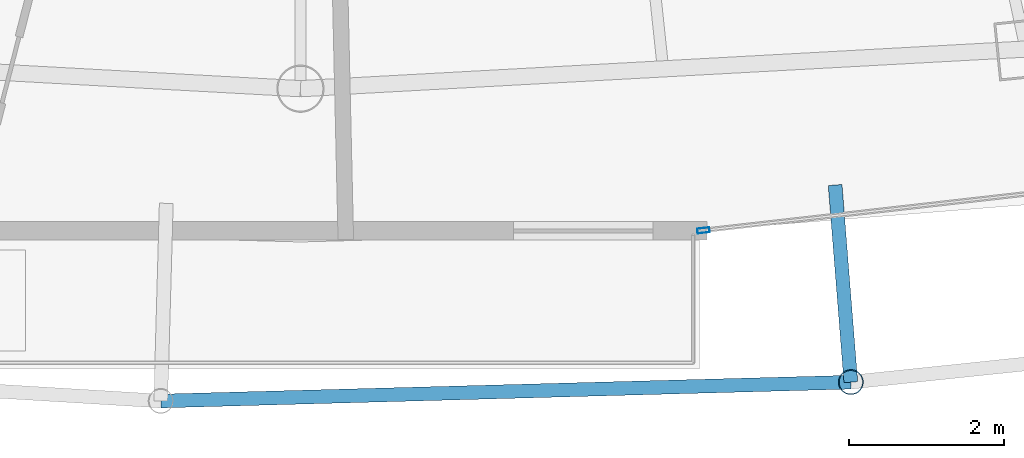
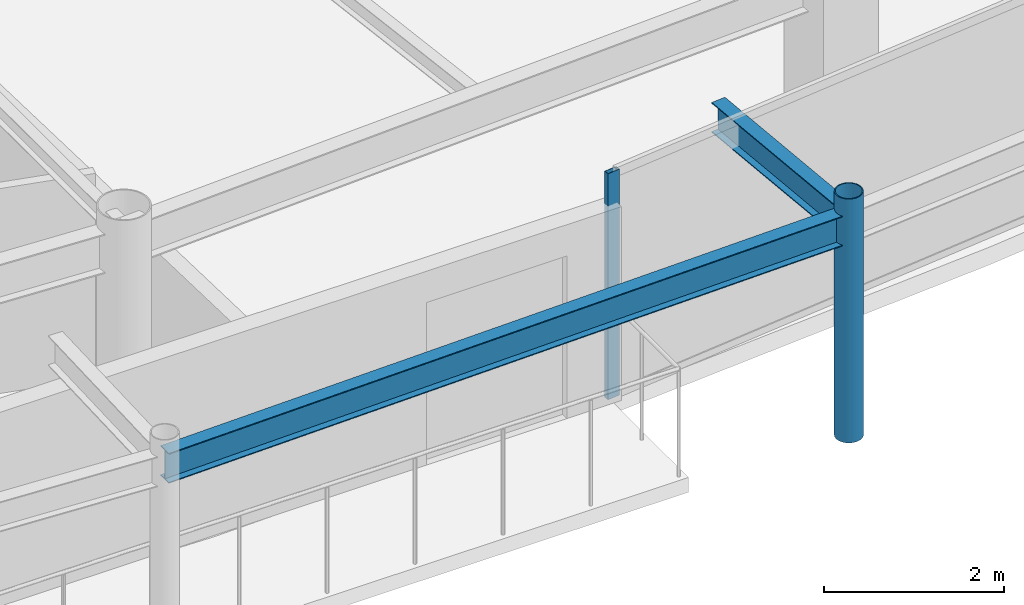
# One storey, part 8 of 30: 2 beams, 2 members, 1 element without a shape of its own.
"""IFC4 building model written with IfcOpenShell, lengths in metres."""

import ifcopenshell
import ifcopenshell.guid

model = None  # the IFC model being written
_history = None  # IfcOwnerHistory: only IFC2X3 demands one
_inside = {}  # id of a spatial element -> (the spatial element, [elements in it])
_under = {}  # id of a project, library or spatial element -> (it, [spatial elements below it])
_declared = {}  # id of a project -> (the project, [libraries it declares])
_typed = {}  # id of a type object -> (the type object, [elements of that type])
_made_of = {}  # id of a material, layer set ... -> (it, [elements and type objects made of it])


def new_model(schema):
    """Start an empty IFC model of exactly this schema.

    Asked for "IFC4X3", IfcOpenShell would pick the latest addendum, in which some entities
    have other attributes; the version numbers below select the first issue.
    IFC2X3 requires an IfcOwnerHistory on every rooted entity: one is made here for all.
    """
    global model, _history
    if schema == "IFC4X3":
        model = ifcopenshell.file(schema_version=(4, 3, 0, 0))
    else:
        model = ifcopenshell.file(schema=schema)
    _inside.clear()
    _under.clear()
    _declared.clear()
    _typed.clear()
    _made_of.clear()
    _history = None
    if model.schema == "IFC2X3":
        org = make("IfcOrganization", Name="unknown")
        user = make(
            "IfcPersonAndOrganization",
            ThePerson=make("IfcPerson", FamilyName="unknown"),
            TheOrganization=org,
        )
        app = make(
            "IfcApplication",
            ApplicationDeveloper=org,
            Version="unknown",
            ApplicationFullName="unknown",
            ApplicationIdentifier="unknown",
        )
        _history = make(
            "IfcOwnerHistory",
            OwningUser=user,
            OwningApplication=app,
            ChangeAction="ADDED",
            CreationDate=0,
        )
    return model


def make(cls, **values):
    """One entity of the class cls with the attributes given. An attribute that is None is left unset."""
    return model.create_entity(
        cls, **{name: value for name, value in values.items() if value is not None}
    )


def rooted(cls, **values):
    """An entity with a GlobalId (a new one), such as an element, a storey or a relation."""
    return make(cls, GlobalId=ifcopenshell.guid.new(), OwnerHistory=_history, **values)


def si_unit(unit_type, name, prefix=None):
    """IfcSIUnit, for example si_unit("LENGTHUNIT", "METRE", prefix="MILLI")."""
    return make("IfcSIUnit", UnitType=unit_type, Prefix=prefix, Name=name)


def assignment(units):
    """IfcUnitAssignment: the units of a project."""
    return None if units is None else make("IfcUnitAssignment", Units=units)


def point(xyz):
    """IfcCartesianPoint."""
    return None if xyz is None else make("IfcCartesianPoint", Coordinates=xyz)


def direction(xyz):
    """IfcDirection."""
    return None if xyz is None else make("IfcDirection", DirectionRatios=xyz)


def frame(location, z_axis=None, x_axis=None):
    """IfcAxis2Placement3D, a coordinate frame: its origin and axes. An axis left out is left unset."""
    return make(
        "IfcAxis2Placement3D",
        Location=point(location),
        Axis=direction(z_axis),
        RefDirection=direction(x_axis),
    )


def frame_2d(location, x_axis=None):
    """IfcAxis2Placement2D, a coordinate frame in the plane: its origin and x axis."""
    return make(
        "IfcAxis2Placement2D", Location=point(location), RefDirection=direction(x_axis)
    )


def origin():
    """The frame at (0, 0, 0) with its axes left unset."""
    return frame((0.0, 0.0, 0.0))


def origin_2d():
    """The frame at (0, 0) in the plane with its x axis left unset."""
    return frame_2d((0.0, 0.0))


def place(relative_to, where):
    """IfcLocalPlacement: puts the frame where relative to a parent placement (None: the world)."""
    return make(
        "IfcLocalPlacement", PlacementRelTo=relative_to, RelativePlacement=where
    )


def context(
    kind, dimensions, precision=None, world=None, true_north=None, identifier=None
):
    """IfcGeometricRepresentationContext, for example the 3D "Model" context."""
    return make(
        "IfcGeometricRepresentationContext",
        ContextIdentifier=identifier,
        ContextType=kind,
        CoordinateSpaceDimension=dimensions,
        Precision=precision,
        WorldCoordinateSystem=world,
        TrueNorth=true_north,
    )


def subcontext(parent, identifier, kind, view, scale=None):
    """IfcGeometricRepresentationSubContext, for example "Body" below "Model"."""
    return make(
        "IfcGeometricRepresentationSubContext",
        ContextIdentifier=identifier,
        ContextType=kind,
        ParentContext=parent,
        TargetScale=scale,
        TargetView=view,
    )


def project(units=None, contexts=None):
    """IfcProject with its units and contexts."""
    return rooted(
        "IfcProject",
        Name="project",
        RepresentationContexts=contexts,
        UnitsInContext=assignment(units),
    )


def spatial(cls, under=None, at=None, **own):
    """A site, building, storey or space (cls), placed at a placement, below another one or the project."""
    s = rooted(cls, ObjectPlacement=at, **own)
    if under is not None:
        _under.setdefault(under.id(), (under, []))[1].append(s)
    return s


def profile(cls, at=None, kind="AREA", **sizes):
    """A parametric profile (cls). Its sizes go by their IFC names, for example OverallWidth=200.0."""
    return make(cls, ProfileType=kind, Position=at, **sizes)


def hollow_rectangle(**sizes):
    """IfcRectangleHollowProfileDef."""
    return profile("IfcRectangleHollowProfileDef", **sizes)


def hollow_circle(**sizes):
    """IfcCircleHollowProfileDef."""
    return profile("IfcCircleHollowProfileDef", **sizes)


def i_section(**sizes):
    """IfcIShapeProfileDef."""
    return profile("IfcIShapeProfileDef", **sizes)


def extrude(swept, where, along, depth):
    """IfcExtrudedAreaSolid: the profile swept, set in the frame where, extruded along a direction by depth."""
    return make(
        "IfcExtrudedAreaSolid",
        SweptArea=swept,
        Position=where,
        ExtrudedDirection=direction(along),
        Depth=depth,
    )


def shape(context_of_items, identifier, shape_type, items):
    """IfcShapeRepresentation: the items that make up one representation, for example the "Body"."""
    return make(
        "IfcShapeRepresentation",
        ContextOfItems=context_of_items,
        RepresentationIdentifier=identifier,
        RepresentationType=shape_type,
        Items=items,
    )


def material(Name=None, Category=None):
    """IfcMaterial."""
    return make("IfcMaterial", Name=Name, Category=Category)


def layer(
    of_material, thickness, ventilated=None, Name=None, Category=None, Priority=None
):
    """IfcMaterialLayer: one layer of a wall or slab, of a material (None: an air gap)."""
    return make(
        "IfcMaterialLayer",
        Material=of_material,
        LayerThickness=thickness,
        IsVentilated=ventilated,
        Name=Name,
        Category=Category,
        Priority=Priority,
    )


def layer_set(layers, Name=None):
    """IfcMaterialLayerSet."""
    return make("IfcMaterialLayerSet", MaterialLayers=layers, LayerSetName=Name)


def material_profile(
    of_material, cross_section, Name=None, Category=None, Priority=None
):
    """IfcMaterialProfile: a cross section and its material."""
    return make(
        "IfcMaterialProfile",
        Name=Name,
        Material=of_material,
        Profile=cross_section,
        Priority=Priority,
        Category=Category,
    )


def profile_set(profiles, Name=None, composite=None):
    """IfcMaterialProfileSet."""
    return make(
        "IfcMaterialProfileSet",
        Name=Name,
        MaterialProfiles=profiles,
        CompositeProfile=composite,
    )


def made_of(thing, what):
    """Note that an element or type object is made of a material, layer set ...; save() writes the relation."""
    if what is not None:
        _made_of.setdefault(what.id(), (what, []))[1].append(thing)
    return thing


def type_object(cls, material=None, **own):
    """A type object (cls), such as IfcWallType, which elements share."""
    return made_of(rooted(cls, **own), material)


def element(
    cls,
    number,
    at=None,
    inside=None,
    cuts=None,
    type_object=None,
    material=None,
    context=None,
    identifier="Body",
    shape_type=None,
    held_by="IfcProductDefinitionShape",
    body=None,
    shapes=None,
    **own,
):
    """One element of the class cls, such as IfcWall. Its Tag is "e" and its number.

    at: its placement. inside: the storey or other place that contains it. cuts: it is an
    opening in that element (IfcRelVoidsElement). A single representation is given by context,
    identifier, shape_type and body (its items); several are given by shapes. held_by: the class
    of the entity that holds the representations. save() writes the other relations.
    """
    e = rooted(cls, Tag="e%d" % number, ObjectPlacement=at, **own)
    if body is not None:
        shapes = [shape(context, identifier, shape_type, body)]
    if shapes is not None:
        e.Representation = make(held_by, Representations=shapes)
    if inside is not None:
        _inside.setdefault(inside.id(), (inside, []))[1].append(e)
    if cuts is not None:
        rooted(
            "IfcRelVoidsElement", RelatingBuildingElement=cuts, RelatedOpeningElement=e
        )
    if type_object is not None:
        _typed.setdefault(type_object.id(), (type_object, []))[1].append(e)
    return made_of(e, material)


def aggregate(whole, parts):
    """IfcRelAggregates: a whole, such as a stair, and the parts it consists of."""
    return rooted("IfcRelAggregates", RelatingObject=whole, RelatedObjects=parts)


def save(model, path):
    """Write the relations noted so far, then the file.

    IfcRelAggregates (storeys below a building ...), IfcRelContainedInSpatialStructure (elements
    in a storey), IfcRelDefinesByType, IfcRelAssociatesMaterial and IfcRelDeclares: one each for
    every whole, place, type object, material and project.
    """
    for whole, parts in _under.values():
        aggregate(whole, parts)
    for where, things in _inside.values():
        rooted(
            "IfcRelContainedInSpatialStructure",
            RelatedElements=things,
            RelatingStructure=where,
        )
    for kind, things in _typed.values():
        rooted("IfcRelDefinesByType", RelatedObjects=things, RelatingType=kind)
    for what, things in _made_of.values():
        rooted("IfcRelAssociatesMaterial", RelatedObjects=things, RelatingMaterial=what)
    for by, libraries in _declared.values():
        rooted("IfcRelDeclares", RelatingContext=by, RelatedDefinitions=libraries)
    model.write(path)


model = new_model("IFC4")

# Units and contexts
model_context = context("Model", 3, precision=1e-05, world=origin(), true_north=direction((0.0, 1.0)))
body_context = subcontext(model_context, "Body", "Model", "MODEL_VIEW")
ifc_project = project(units=[si_unit("LENGTHUNIT", "METRE"), si_unit("AREAUNIT", "SQUARE_METRE"), si_unit("VOLUMEUNIT", "CUBIC_METRE"), si_unit("PLANEANGLEUNIT", "RADIAN"), si_unit("MASSUNIT", "GRAM", prefix="KILO")], contexts=[model_context])

# Site, building, storey
site_placement = place(None, origin())
site = spatial("IfcSite", under=ifc_project, at=site_placement, CompositionType="ELEMENT")
building_placement = place(site_placement, origin())
building = spatial("IfcBuilding", under=site, at=building_placement, Name="Orvanel Arch Residences", CompositionType="ELEMENT")
storey_placement = place(building_placement, frame((0.0, 0.0, 229.39990234375)))
storey = spatial("IfcBuildingStorey", under=building, at=storey_placement, Name="L65", CompositionType="ELEMENT", Elevation=229.39990234375)

# Curtain wall, member
ifc_material_1 = material(Name="Bronze-anodised aluminium AA6063-T6", Category="aluminium")
ifc_layer = layer(ifc_material_1, 0.175048828125)
ifc_layer_set = layer_set([ifc_layer], Name="Bronze-anodised aluminium AA6063-T6")
curtain_wall_type = type_object("IfcCurtainWallType", Name="CW4-HI-SYS", PredefinedType="NOTDEFINED", material=ifc_layer_set)
curtain_wall_placement = place(storey_placement, origin())
curtain_wall = element("IfcCurtainWall", 1, at=curtain_wall_placement, inside=storey, type_object=curtain_wall_type, Name="L65 CW4-HI-SYS Unitised Curtain Wall", PredefinedType="NOTDEFINED")
ifc_material_profile_1 = material_profile(ifc_material_1, hollow_rectangle(XDim=0.06494140625, YDim=0.159912109375, WallThickness=0.00390625, at=origin_2d()), Name="ALU160x65x4")
ifc_profile_set_1 = profile_set([ifc_material_profile_1], Name="Bronze-anodised aluminium AA6063-T6")
member_type_1 = type_object("IfcMemberType", Name="MUL-160x65", PredefinedType="MULLION", material=ifc_profile_set_1)
member_1_placement = place(storey_placement, frame((38.1962890625, 5.0166015625, 0.0), z_axis=(0.0, 0.0, 1.0), x_axis=(-0.112578003012, 0.993642890196, 0.0)))
member_1 = element("IfcMember", 2, at=member_1_placement, type_object=member_type_1, Name="CW-S4 mullion 1", PredefinedType="MULLION", context=body_context, shape_type="SweptSolid", body=[
    extrude(hollow_rectangle(XDim=0.06494140625, YDim=0.159912109375, WallThickness=0.00390625, at=origin_2d()), origin(), (0.0, 0.0, 1.0), 3.06005859375),
])
aggregate(curtain_wall, [member_1])

# Beams
ifc_material_2 = material(Name="Structural steel AS/NZS 3679.1 Grade 300 (300 MPa)", Category="steel")
ifc_material_profile_2 = material_profile(ifc_material_2, i_section(OverallWidth=0.177978515625, OverallDepth=0.406005859375, WebThickness=0.0078125, FlangeThickness=0.0126953125, at=origin_2d()), Name="410UB59.7")
ifc_profile_set_2 = profile_set([ifc_material_profile_2], Name="Structural steel AS/NZS 3679.1 Grade 300 (300 MPa)")
beam_type = type_object("IfcBeamType", Name="OB-410UB-EXT", PredefinedType="SPANDREL", material=ifc_profile_set_2)
beam_1_placement = place(storey_placement, frame((31.198974609375, 2.81689453125, 2.857177734375), z_axis=(0.99962679645, 0.027317902905, 0.0), x_axis=(-0.027317902905, 0.99962679645, 0.0)))
element("IfcBeam", 3, at=beam_1_placement, inside=storey, type_object=beam_type, Name="L65 Outer Perimeter Floor Ring Beam 06", PredefinedType="SPANDREL", context=body_context, shape_type="SweptSolid", body=[
    extrude(i_section(OverallWidth=0.177978515625, OverallDepth=0.406005859375, WebThickness=0.0078125, FlangeThickness=0.0126953125, at=origin_2d()), origin(), (0.0, 0.0, 1.0), 8.9013671875),
])
beam_2_placement = place(storey_placement, frame((39.89404296875, 5.60205078125, 2.857177734375), z_axis=(0.079558766563, -0.996830177444, 0.0), x_axis=(0.996830177444, 0.079558766563, 0.0)))
element("IfcBeam", 4, at=beam_2_placement, inside=storey, type_object=beam_type, Name="L65 Outer Frame Radial Tie Beam 07", PredefinedType="SPANDREL", context=body_context, shape_type="SweptSolid", body=[
    extrude(i_section(OverallWidth=0.177978515625, OverallDepth=0.406005859375, WebThickness=0.0078125, FlangeThickness=0.0126953125, at=origin_2d()), origin(), (0.0, 0.0, 1.0), 2.550048828125),
])

# Member
ifc_material_3 = material(Name="Structural steel AS/NZS 1163 C350L0 (Grade 350)", Category="steel")
ifc_material_profile_3 = material_profile(ifc_material_3, hollow_circle(Radius=0.162109375, WallThickness=0.0126953125, at=origin_2d()), Name="CHS324x12.7")
ifc_profile_set_3 = profile_set([ifc_material_profile_3], Name="Structural steel AS/NZS 1163 C350L0 (Grade 350)")
member_type_2 = type_object("IfcMemberType", Name="ST-324CHS-EXT", PredefinedType="STRUT", material=ifc_profile_set_3)
member_2_placement = place(storey_placement, frame((40.096923828125, 3.06005859375, 0.0), z_axis=(0.0, 0.0, 1.0), x_axis=(1.0, 0.0, 0.0)))
element("IfcMember", 5, at=member_2_placement, inside=storey, type_object=member_type_2, Name="L65 Outer Perimeter Frame Post 07", PredefinedType="STRUT", context=body_context, shape_type="SweptSolid", body=[
    extrude(hollow_circle(Radius=0.162109375, WallThickness=0.0126953125, at=origin_2d()), origin(), (0.0, 0.0, 1.0), 3.300048828125),
])

save(model, "model.ifc")
